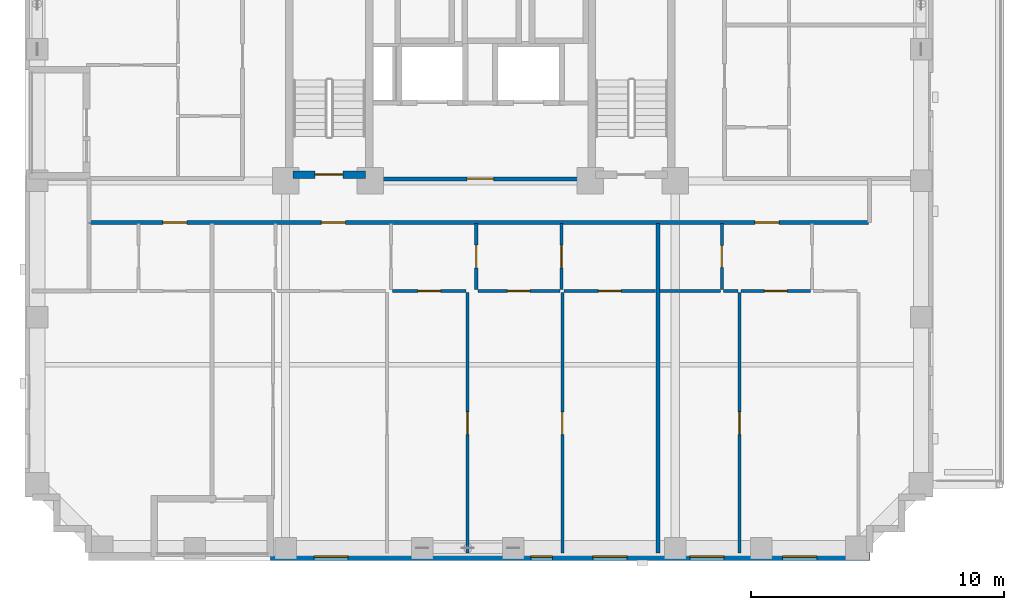
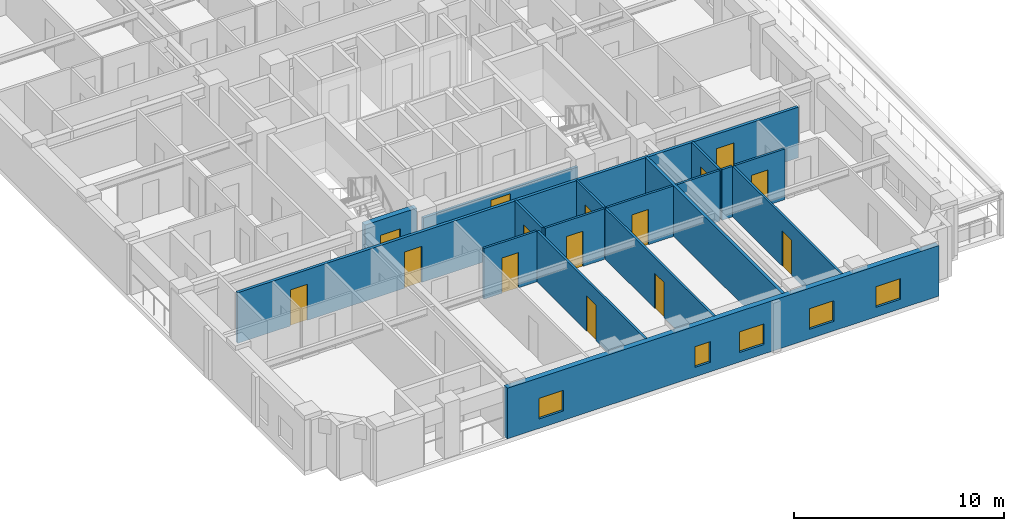
# One storey, part 7 of 16: 17 walls, 15 doors, 5 windows, 20 openings.
"""IFC4 building model written with IfcOpenShell, lengths in metres."""

from ifc_helpers import new_model, si_unit, derived_unit, direction, frame, frame_2d, origin, place, context, subcontext, project, spatial, rectangle, extrude, material, layer, layer_set, type_object, element, fill, save


model = new_model("IFC4")

# Units and contexts
model_context = context("Model", 3, precision=1e-05, world=origin(), true_north=direction((0.0, 1.0)))
body_context = subcontext(model_context, "Body", "Model", "MODEL_VIEW")
ifc_project = project(units=[si_unit("LENGTHUNIT", "METRE"), si_unit("AREAUNIT", "SQUARE_METRE"), si_unit("VOLUMEUNIT", "CUBIC_METRE"), si_unit("PLANEANGLEUNIT", "RADIAN"), si_unit("MASSUNIT", "GRAM", prefix="KILO"), derived_unit("THERMALTRANSMITTANCEUNIT", [(si_unit("MASSUNIT", "GRAM", prefix="KILO"), 1), (si_unit("TIMEUNIT", "SECOND"), -3), (si_unit("THERMODYNAMICTEMPERATUREUNIT", "KELVIN"), -1)])], contexts=[model_context])

# Site, building, storey
site_placement = place(None, origin())
site = spatial("IfcSite", under=ifc_project, at=site_placement, CompositionType="ELEMENT")
building_placement = place(site_placement, origin())
building = spatial("IfcBuilding", under=site, at=building_placement, Name="Korrvale Station Residences", CompositionType="ELEMENT")
storey_placement = place(building_placement, frame((0.0, 0.0, 75.10009765625)))
storey = spatial("IfcBuildingStorey", under=building, at=storey_placement, Name="L20", CompositionType="ELEMENT", Elevation=75.10009765625)

# Wall, opening, door
ifc_material_1 = material(Name="Concrete C60/75", Category="concrete")
ifc_layer_1 = layer(ifc_material_1, 0.300048828125, Name="Concrete C60/75")
ifc_layer_set_1 = layer_set([ifc_layer_1], Name="Concrete C60/75")
wall_type_1 = type_object("IfcWallType", Name="WAL-CORE-300-C60", PredefinedType="SHEAR", material=ifc_layer_set_1)
wall_1_placement = place(storey_placement, frame((18.10009765625, 15.25, 0.0), z_axis=(0.0, 0.0, 1.0), x_axis=(1.0, 0.0, 0.0)))
wall_1 = element("IfcWall", 1, at=wall_1_placement, inside=storey, type_object=wall_type_1, Name="L20 ST-1 Core Shear Wall South", PredefinedType="SHEAR", context=body_context, shape_type="SweptSolid", body=[
    extrude(rectangle(XDim=2.849853515625, YDim=0.300048828125, at=frame_2d((1.4248046875, 0.0))), origin(), (0.0, 0.0, 1.0), 2.93994140625),
])
opening_1_placement = place(wall_1_placement, frame((0.860107421875, 0.0, 0.0)))
opening_1 = element("IfcOpeningElement", 2, at=opening_1_placement, cuts=wall_1, Name="Opening SD-1100", PredefinedType="OPENING", context=body_context, shape_type="SweptSolid", body=[
    extrude(rectangle(XDim=1.10009765625, YDim=2.050048828125, at=frame_2d((0.550048828125, 1.02490234375))), frame((0.0, 0.16015625, 0.0), z_axis=(0.0, -1.0, 0.0), x_axis=(1.0, 0.0, 0.0)), (0.0, 0.0, 1.0), 0.320068359375),
])
ifc_material_2 = material(Name="Hollow-metal fire-rated stair door with closer", Category="steel")
door_type_1 = type_object("IfcDoorType", Name="DR-STAIR-1100", OperationType="NOTDEFINED", PredefinedType="DOOR", material=ifc_material_2)
door_1_placement = place(opening_1_placement, origin())
door_1 = element("IfcDoor", 3, at=door_1_placement, inside=storey, type_object=door_type_1, Name="L20 ST-1 Exit Stair Door", OperationType="SINGLE_SWING_LEFT", OverallHeight=2.050048828125, OverallWidth=1.10009765625, PredefinedType="DOOR", context=body_context, shape_type="SweptSolid", body=[
    extrude(rectangle(XDim=1.10009765625, YDim=2.050048828125, at=frame_2d((0.550048828125, 1.02490234375))), frame((0.0, 0.02490234375, 0.0), z_axis=(0.0, -1.0, 0.0), x_axis=(1.0, 0.0, 0.0)), (0.0, 0.0, 1.0), 0.050048828125),
])
fill(opening_1, door_1)

# Wall, openings, windows
ifc_material_3 = material(Name="Precast concrete C45/55", Category="concrete")
ifc_layer_2 = layer(ifc_material_3, 0.300048828125, Name="Precast concrete C45/55")
ifc_layer_set_2 = layer_set([ifc_layer_2], Name="Precast concrete C45/55")
wall_type_2 = type_object("IfcWallType", Name="WAL-EXT-PC300", PredefinedType="SOLIDWALL", material=ifc_layer_set_2)
wall_2_placement = place(storey_placement, frame((40.89990234375, 0.14990234375, 0.0), z_axis=(0.0, 0.0, 1.0), x_axis=(-1.0, 0.0, 0.0)))
wall_2 = element("IfcWall", 4, at=wall_2_placement, inside=storey, type_object=wall_type_2, Name="L20 South Exterior Precast Wall 1", PredefinedType="SOLIDWALL", context=body_context, shape_type="SweptSolid", body=[
    extrude(rectangle(XDim=23.699951171875, YDim=0.300048828125, at=frame_2d((11.85009765625, 0.0))), origin(), (0.0, 0.0, 1.0), 2.93994140625),
])
opening_2_placement = place(wall_2_placement, frame((20.625, 0.0, 0.550048828125)))
opening_2 = element("IfcOpeningElement", 5, at=opening_2_placement, cuts=wall_2, Name="Opening W-10", PredefinedType="OPENING", context=body_context, shape_type="SweptSolid", body=[
    extrude(rectangle(XDim=1.35009765625, YDim=1.199951171875, at=frame_2d((0.675048828125, 0.60009765625))), frame((0.0, 0.16015625, 0.0), z_axis=(0.0, -1.0, 0.0), x_axis=(1.0, 0.0, 0.0)), (0.0, 0.0, 1.0), 0.320068359375),
])
opening_3_placement = place(wall_2_placement, frame((12.550048828125, 0.0, 0.550048828125)))
opening_3 = element("IfcOpeningElement", 6, at=opening_3_placement, cuts=wall_2, Name="Opening W-11", PredefinedType="OPENING", context=body_context, shape_type="SweptSolid", body=[
    extrude(rectangle(XDim=0.85009765625, YDim=1.199951171875, at=frame_2d((0.425048828125, 0.60009765625))), frame((0.0, 0.16015625, 0.0), z_axis=(0.0, -1.0, 0.0), x_axis=(1.0, 0.0, 0.0)), (0.0, 0.0, 1.0), 0.320068359375),
])
opening_4_placement = place(wall_2_placement, frame((9.60009765625, 0.0, 0.550048828125)))
opening_4 = element("IfcOpeningElement", 7, at=opening_4_placement, cuts=wall_2, Name="Opening W-10", PredefinedType="OPENING", context=body_context, shape_type="SweptSolid", body=[
    extrude(rectangle(XDim=1.35009765625, YDim=1.199951171875, at=frame_2d((0.675048828125, 0.60009765625))), frame((0.0, 0.16015625, 0.0), z_axis=(0.0, -1.0, 0.0), x_axis=(1.0, 0.0, 0.0)), (0.0, 0.0, 1.0), 0.320068359375),
])
opening_5_placement = place(wall_2_placement, frame((5.764892578125, 0.0, 0.550048828125)))
opening_5 = element("IfcOpeningElement", 8, at=opening_5_placement, cuts=wall_2, Name="Opening W-10", PredefinedType="OPENING", context=body_context, shape_type="SweptSolid", body=[
    extrude(rectangle(XDim=1.35009765625, YDim=1.199951171875, at=frame_2d((0.675048828125, 0.60009765625))), frame((0.0, 0.16015625, 0.0), z_axis=(0.0, -1.0, 0.0), x_axis=(1.0, 0.0, 0.0)), (0.0, 0.0, 1.0), 0.320068359375),
])
opening_6_placement = place(wall_2_placement, frame((2.10009765625, 0.0, 0.550048828125)))
opening_6 = element("IfcOpeningElement", 9, at=opening_6_placement, cuts=wall_2, Name="Opening W-10", PredefinedType="OPENING", context=body_context, shape_type="SweptSolid", body=[
    extrude(rectangle(XDim=1.35009765625, YDim=1.199951171875, at=frame_2d((0.675048828125, 0.60009765625))), frame((0.0, 0.16015625, 0.0), z_axis=(0.0, -1.0, 0.0), x_axis=(1.0, 0.0, 0.0)), (0.0, 0.0, 1.0), 0.320068359375),
])
ifc_material_4 = material(Name="Thermally broken aluminium frame with triple low-e glazing", Category="aluminium")
window_type_1 = type_object("IfcWindowType", Name="WIN-W10", PartitioningType="SINGLE_PANEL", PredefinedType="WINDOW", material=ifc_material_4)
window_1_placement = place(opening_2_placement, origin())
window_1 = element("IfcWindow", 10, at=window_1_placement, inside=storey, type_object=window_type_1, Name="L20 Punched Window 03", OverallHeight=1.199951171875, OverallWidth=1.35009765625, PartitioningType="SINGLE_PANEL", PredefinedType="WINDOW", context=body_context, shape_type="SweptSolid", body=[
    extrude(rectangle(XDim=1.35009765625, YDim=1.199951171875, at=frame_2d((0.675048828125, 0.60009765625))), frame((0.0, 0.030029296875, 0.0), z_axis=(0.0, -1.0, 0.0), x_axis=(1.0, 0.0, 0.0)), (0.0, 0.0, 1.0), 0.06005859375),
])
fill(opening_2, window_1)
window_2_placement = place(opening_4_placement, origin())
window_2 = element("IfcWindow", 11, at=window_2_placement, inside=storey, type_object=window_type_1, Name="L20 Punched Window 05", OverallHeight=1.199951171875, OverallWidth=1.35009765625, PartitioningType="SINGLE_PANEL", PredefinedType="WINDOW", context=body_context, shape_type="SweptSolid", body=[
    extrude(rectangle(XDim=1.35009765625, YDim=1.199951171875, at=frame_2d((0.675048828125, 0.60009765625))), frame((0.0, 0.030029296875, 0.0), z_axis=(0.0, -1.0, 0.0), x_axis=(1.0, 0.0, 0.0)), (0.0, 0.0, 1.0), 0.06005859375),
])
fill(opening_4, window_2)
window_3_placement = place(opening_5_placement, origin())
window_3 = element("IfcWindow", 12, at=window_3_placement, inside=storey, type_object=window_type_1, Name="L20 Punched Window 06", OverallHeight=1.199951171875, OverallWidth=1.35009765625, PartitioningType="SINGLE_PANEL", PredefinedType="WINDOW", context=body_context, shape_type="SweptSolid", body=[
    extrude(rectangle(XDim=1.35009765625, YDim=1.199951171875, at=frame_2d((0.675048828125, 0.60009765625))), frame((0.0, 0.030029296875, 0.0), z_axis=(0.0, -1.0, 0.0), x_axis=(1.0, 0.0, 0.0)), (0.0, 0.0, 1.0), 0.06005859375),
])
fill(opening_5, window_3)
window_4_placement = place(opening_6_placement, origin())
window_4 = element("IfcWindow", 13, at=window_4_placement, inside=storey, type_object=window_type_1, Name="L20 Punched Window 07", OverallHeight=1.199951171875, OverallWidth=1.35009765625, PartitioningType="SINGLE_PANEL", PredefinedType="WINDOW", context=body_context, shape_type="SweptSolid", body=[
    extrude(rectangle(XDim=1.35009765625, YDim=1.199951171875, at=frame_2d((0.675048828125, 0.60009765625))), frame((0.0, 0.030029296875, 0.0), z_axis=(0.0, -1.0, 0.0), x_axis=(1.0, 0.0, 0.0)), (0.0, 0.0, 1.0), 0.06005859375),
])
fill(opening_6, window_4)
window_type_2 = type_object("IfcWindowType", Name="WIN-W11", PartitioningType="SINGLE_PANEL", PredefinedType="WINDOW", material=ifc_material_4)
window_5_placement = place(opening_3_placement, origin())
window_5 = element("IfcWindow", 14, at=window_5_placement, inside=storey, type_object=window_type_2, Name="L20 Punched Window 04", OverallHeight=1.199951171875, OverallWidth=0.85009765625, PartitioningType="SINGLE_PANEL", PredefinedType="WINDOW", context=body_context, shape_type="SweptSolid", body=[
    extrude(rectangle(XDim=0.85009765625, YDim=1.199951171875, at=frame_2d((0.425048828125, 0.60009765625))), frame((0.0, 0.030029296875, 0.0), z_axis=(0.0, -1.0, 0.0), x_axis=(1.0, 0.0, 0.0)), (0.0, 0.0, 1.0), 0.06005859375),
])
fill(opening_3, window_5)

# Wall, opening, door
ifc_material_5 = material(Name="Acoustic steel-stud gypsum board partition", Category="steel")
ifc_layer_3 = layer(ifc_material_5, 0.1201171875, Name="Acoustic steel-stud gypsum board partition")
ifc_layer_set_3 = layer_set([ifc_layer_3], Name="Acoustic steel-stud gypsum board partition")
wall_type_3 = type_object("IfcWallType", Name="WAL-PART-125", PredefinedType="PARTITIONING", material=ifc_layer_set_3)
wall_3_placement = place(storey_placement, frame((25.3359375, 10.7099609375, 0.0), z_axis=(0.0, 0.0, 1.0), x_axis=(0.0, 1.0, 0.0)))
wall_3 = element("IfcWall", 15, at=wall_3_placement, inside=storey, type_object=wall_type_3, Name="L20 Suite Partition U02-V23", PredefinedType="PARTITIONING", context=body_context, shape_type="SweptSolid", body=[
    extrude(rectangle(XDim=2.60009765625, YDim=0.1201171875, at=frame_2d((1.300048828125, 0.0))), origin(), (0.0, 0.0, 1.0), 2.93994140625),
])
opening_7_placement = place(wall_3_placement, frame((0.85009765625, 0.0, 0.0)))
opening_7 = element("IfcOpeningElement", 16, at=opening_7_placement, cuts=wall_3, Name="Opening DI-900", PredefinedType="OPENING", context=body_context, shape_type="SweptSolid", body=[
    extrude(rectangle(XDim=0.89990234375, YDim=2.050048828125, at=frame_2d((0.449951171875, 1.02490234375))), frame((0.0, 0.070068359375, 0.0), z_axis=(0.0, -1.0, 0.0), x_axis=(1.0, 0.0, 0.0)), (0.0, 0.0, 1.0), 0.14013671875),
])
ifc_material_6 = material(Name="Painted solid-core timber interior room door", Category="wood")
door_type_2 = type_object("IfcDoorType", Name="DR-INT-900", OperationType="NOTDEFINED", PredefinedType="DOOR", material=ifc_material_6)
door_2_placement = place(opening_7_placement, origin())
door_2 = element("IfcDoor", 17, at=door_2_placement, inside=storey, type_object=door_type_2, Name="L20 Apartment 2BR L20-U02 Home Study Room Door", OperationType="SINGLE_SWING_LEFT", OverallHeight=2.050048828125, OverallWidth=0.89990234375, PredefinedType="DOOR", context=body_context, shape_type="SweptSolid", body=[
    extrude(rectangle(XDim=0.89990234375, YDim=2.050048828125, at=frame_2d((0.449951171875, 1.02490234375))), frame((0.0, 0.02490234375, 0.0), z_axis=(0.0, -1.0, 0.0), x_axis=(1.0, 0.0, 0.0)), (0.0, 0.0, 1.0), 0.050048828125),
])
fill(opening_7, door_2)

wall_4_placement = place(storey_placement, frame((22.02587890625, 10.64990234375, 0.0), z_axis=(0.0, 0.0, 1.0), x_axis=(1.0, 0.0, 0.0)))
wall_4 = element("IfcWall", 18, at=wall_4_placement, inside=storey, type_object=wall_type_3, Name="L20 Suite Partition U02-H27", PredefinedType="PARTITIONING", context=body_context, shape_type="SweptSolid", body=[
    extrude(rectangle(XDim=2.905029296875, YDim=0.1201171875, at=frame_2d((1.45263671875, 0.0))), origin(), (0.0, 0.0, 1.0), 2.93994140625),
])
opening_8_placement = place(wall_4_placement, frame((1.0029296875, 0.0, 0.0)))
opening_8 = element("IfcOpeningElement", 19, at=opening_8_placement, cuts=wall_4, Name="Opening DI-900", PredefinedType="OPENING", context=body_context, shape_type="SweptSolid", body=[
    extrude(rectangle(XDim=0.89990234375, YDim=2.050048828125, at=frame_2d((0.449951171875, 1.02490234375))), frame((0.0, 0.070068359375, 0.0), z_axis=(0.0, -1.0, 0.0), x_axis=(1.0, 0.0, 0.0)), (0.0, 0.0, 1.0), 0.14013671875),
])
door_3_placement = place(opening_8_placement, origin())
door_3 = element("IfcDoor", 20, at=door_3_placement, inside=storey, type_object=door_type_2, Name="L20 Apartment 2BR L20-U02 Home Study Room Door", OperationType="SINGLE_SWING_RIGHT", OverallHeight=2.050048828125, OverallWidth=0.89990234375, PredefinedType="DOOR", context=body_context, shape_type="SweptSolid", body=[
    extrude(rectangle(XDim=0.89990234375, YDim=2.050048828125, at=frame_2d((0.449951171875, 1.02490234375))), frame((0.0, 0.02490234375, 0.0), z_axis=(0.0, -1.0, 0.0), x_axis=(1.0, 0.0, 0.0)), (0.0, 0.0, 1.0), 0.050048828125),
])
fill(opening_8, door_3)

wall_5_placement = place(storey_placement, frame((28.7060546875, 10.7099609375, 0.0), z_axis=(0.0, 0.0, 1.0), x_axis=(0.0, 1.0, 0.0)))
wall_5 = element("IfcWall", 21, at=wall_5_placement, inside=storey, type_object=wall_type_3, Name="L20 Suite Partition U02-V34", PredefinedType="PARTITIONING", context=body_context, shape_type="SweptSolid", body=[
    extrude(rectangle(XDim=2.60009765625, YDim=0.1201171875, at=frame_2d((1.300048828125, 0.0))), origin(), (0.0, 0.0, 1.0), 2.93994140625),
])
opening_9_placement = place(wall_5_placement, frame((0.85009765625, 0.0, 0.0)))
opening_9 = element("IfcOpeningElement", 22, at=opening_9_placement, cuts=wall_5, Name="Opening DI-900", PredefinedType="OPENING", context=body_context, shape_type="SweptSolid", body=[
    extrude(rectangle(XDim=0.89990234375, YDim=2.050048828125, at=frame_2d((0.449951171875, 1.02490234375))), frame((0.0, 0.070068359375, 0.0), z_axis=(0.0, -1.0, 0.0), x_axis=(1.0, 0.0, 0.0)), (0.0, 0.0, 1.0), 0.14013671875),
])
door_4_placement = place(opening_9_placement, origin())
door_4 = element("IfcDoor", 23, at=door_4_placement, inside=storey, type_object=door_type_2, Name="L20 Apartment 2BR L20-U02 Home Study Room Door", OperationType="SINGLE_SWING_LEFT", OverallHeight=2.050048828125, OverallWidth=0.89990234375, PredefinedType="DOOR", context=body_context, shape_type="SweptSolid", body=[
    extrude(rectangle(XDim=0.89990234375, YDim=2.050048828125, at=frame_2d((0.449951171875, 1.02490234375))), frame((0.0, 0.02490234375, 0.0), z_axis=(0.0, -1.0, 0.0), x_axis=(1.0, 0.0, 0.0)), (0.0, 0.0, 1.0), 0.050048828125),
])
fill(opening_9, door_4)

wall_6_placement = place(storey_placement, frame((25.39599609375, 10.64990234375, 0.0), z_axis=(0.0, 0.0, 1.0), x_axis=(1.0, 0.0, 0.0)))
wall_6 = element("IfcWall", 24, at=wall_6_placement, inside=storey, type_object=wall_type_3, Name="L20 Suite Partition U02-H38", PredefinedType="PARTITIONING", context=body_context, shape_type="SweptSolid", body=[
    extrude(rectangle(XDim=3.25, YDim=0.1201171875, at=frame_2d((1.625, 0.0))), origin(), (0.0, 0.0, 1.0), 2.93994140625),
])
opening_10_placement = place(wall_6_placement, frame((1.175048828125, 0.0, 0.0)))
opening_10 = element("IfcOpeningElement", 25, at=opening_10_placement, cuts=wall_6, Name="Opening DI-900", PredefinedType="OPENING", context=body_context, shape_type="SweptSolid", body=[
    extrude(rectangle(XDim=0.89990234375, YDim=2.050048828125, at=frame_2d((0.449951171875, 1.02490234375))), frame((0.0, 0.070068359375, 0.0), z_axis=(0.0, -1.0, 0.0), x_axis=(1.0, 0.0, 0.0)), (0.0, 0.0, 1.0), 0.14013671875),
])
door_5_placement = place(opening_10_placement, origin())
door_5 = element("IfcDoor", 26, at=door_5_placement, inside=storey, type_object=door_type_2, Name="L20 Apartment 2BR L20-U02 Home Study Room Door", OperationType="SINGLE_SWING_RIGHT", OverallHeight=2.050048828125, OverallWidth=0.89990234375, PredefinedType="DOOR", context=body_context, shape_type="SweptSolid", body=[
    extrude(rectangle(XDim=0.89990234375, YDim=2.050048828125, at=frame_2d((0.449951171875, 1.02490234375))), frame((0.0, 0.02490234375, 0.0), z_axis=(0.0, -1.0, 0.0), x_axis=(1.0, 0.0, 0.0)), (0.0, 0.0, 1.0), 0.050048828125),
])
fill(opening_10, door_5)

wall_7_placement = place(storey_placement, frame((28.798095703125, 10.64990234375, 0.0), z_axis=(0.0, 0.0, 1.0), x_axis=(1.0, 0.0, 0.0)))
wall_7 = element("IfcWall", 27, at=wall_7_placement, inside=storey, type_object=wall_type_3, Name="L20 Suite Partition U02-H49", PredefinedType="PARTITIONING", context=body_context, shape_type="SweptSolid", body=[
    extrude(rectangle(XDim=3.6279296875, YDim=0.1201171875, at=frame_2d((1.81396484375, 0.0))), origin(), (0.0, 0.0, 1.0), 2.93994140625),
])
opening_11_placement = place(wall_7_placement, frame((1.364013671875, 0.0, 0.0)))
opening_11 = element("IfcOpeningElement", 28, at=opening_11_placement, cuts=wall_7, Name="Opening DI-900", PredefinedType="OPENING", context=body_context, shape_type="SweptSolid", body=[
    extrude(rectangle(XDim=0.89990234375, YDim=2.050048828125, at=frame_2d((0.449951171875, 1.02490234375))), frame((0.0, 0.070068359375, 0.0), z_axis=(0.0, -1.0, 0.0), x_axis=(1.0, 0.0, 0.0)), (0.0, 0.0, 1.0), 0.14013671875),
])
door_6_placement = place(opening_11_placement, origin())
door_6 = element("IfcDoor", 29, at=door_6_placement, inside=storey, type_object=door_type_2, Name="L20 Apartment 2BR L20-U02 Utility and Laundry Room Door", OperationType="SINGLE_SWING_LEFT", OverallHeight=2.050048828125, OverallWidth=0.89990234375, PredefinedType="DOOR", context=body_context, shape_type="SweptSolid", body=[
    extrude(rectangle(XDim=0.89990234375, YDim=2.050048828125, at=frame_2d((0.449951171875, 1.02490234375))), frame((0.0, 0.02490234375, 0.0), z_axis=(0.0, -1.0, 0.0), x_axis=(1.0, 0.0, 0.0)), (0.0, 0.0, 1.0), 0.050048828125),
])
fill(opening_11, door_6)

wall_8_placement = place(storey_placement, frame((24.990966796875, 0.280029296875, 0.0), z_axis=(0.0, 0.0, 1.0), x_axis=(0.0, 1.0, 0.0)))
wall_8 = element("IfcWall", 30, at=wall_8_placement, inside=storey, type_object=wall_type_3, Name="L20 Suite Partition U02-V78", PredefinedType="PARTITIONING", context=body_context, shape_type="SweptSolid", body=[
    extrude(rectangle(XDim=10.31005859375, YDim=0.1201171875, at=frame_2d((5.155029296875, 0.0))), origin(), (0.0, 0.0, 1.0), 2.93994140625),
])
opening_12_placement = place(wall_8_placement, frame((4.68994140625, 0.0, 0.0)))
opening_12 = element("IfcOpeningElement", 31, at=opening_12_placement, cuts=wall_8, Name="Opening DI-900", PredefinedType="OPENING", context=body_context, shape_type="SweptSolid", body=[
    extrude(rectangle(XDim=0.89990234375, YDim=2.050048828125, at=frame_2d((0.449951171875, 1.02490234375))), frame((0.0, 0.070068359375, 0.0), z_axis=(0.0, -1.0, 0.0), x_axis=(1.0, 0.0, 0.0)), (0.0, 0.0, 1.0), 0.14013671875),
])
door_7_placement = place(opening_12_placement, origin())
door_7 = element("IfcDoor", 32, at=door_7_placement, inside=storey, type_object=door_type_2, Name="L20 Apartment 2BR L20-U02 Wardrobe Storage Room Door", OperationType="SINGLE_SWING_RIGHT", OverallHeight=2.050048828125, OverallWidth=0.89990234375, PredefinedType="DOOR", context=body_context, shape_type="SweptSolid", body=[
    extrude(rectangle(XDim=0.89990234375, YDim=2.050048828125, at=frame_2d((0.449951171875, 1.02490234375))), frame((0.0, 0.02490234375, 0.0), z_axis=(0.0, -1.0, 0.0), x_axis=(1.0, 0.0, 0.0)), (0.0, 0.0, 1.0), 0.050048828125),
])
fill(opening_12, door_7)

wall_9_placement = place(storey_placement, frame((28.738037109375, 0.280029296875, 0.0), z_axis=(0.0, 0.0, 1.0), x_axis=(0.0, 1.0, 0.0)))
wall_9 = element("IfcWall", 33, at=wall_9_placement, inside=storey, type_object=wall_type_3, Name="L20 Suite Partition U02-V89", PredefinedType="PARTITIONING", context=body_context, shape_type="SweptSolid", body=[
    extrude(rectangle(XDim=10.31005859375, YDim=0.1201171875, at=frame_2d((5.155029296875, 0.0))), origin(), (0.0, 0.0, 1.0), 2.93994140625),
])
opening_13_placement = place(wall_9_placement, frame((4.68994140625, 0.0, 0.0)))
opening_13 = element("IfcOpeningElement", 34, at=opening_13_placement, cuts=wall_9, Name="Opening DI-900", PredefinedType="OPENING", context=body_context, shape_type="SweptSolid", body=[
    extrude(rectangle(XDim=0.89990234375, YDim=2.050048828125, at=frame_2d((0.449951171875, 1.02490234375))), frame((0.0, 0.070068359375, 0.0), z_axis=(0.0, -1.0, 0.0), x_axis=(1.0, 0.0, 0.0)), (0.0, 0.0, 1.0), 0.14013671875),
])
door_8_placement = place(opening_13_placement, origin())
door_8 = element("IfcDoor", 35, at=door_8_placement, inside=storey, type_object=door_type_2, Name="L20 Apartment 2BR L20-U02 Bedroom 1 Door", OperationType="SINGLE_SWING_LEFT", OverallHeight=2.050048828125, OverallWidth=0.89990234375, PredefinedType="DOOR", context=body_context, shape_type="SweptSolid", body=[
    extrude(rectangle(XDim=0.89990234375, YDim=2.050048828125, at=frame_2d((0.449951171875, 1.02490234375))), frame((0.0, 0.02490234375, 0.0), z_axis=(0.0, -1.0, 0.0), x_axis=(1.0, 0.0, 0.0)), (0.0, 0.0, 1.0), 0.050048828125),
])
fill(opening_13, door_8)

wall_10_placement = place(storey_placement, frame((35.0458984375, 10.7099609375, 0.0), z_axis=(0.0, 0.0, 1.0), x_axis=(0.0, 1.0, 0.0)))
wall_10 = element("IfcWall", 36, at=wall_10_placement, inside=storey, type_object=wall_type_3, Name="L20 Suite Partition U03-V01", PredefinedType="PARTITIONING", context=body_context, shape_type="SweptSolid", body=[
    extrude(rectangle(XDim=2.60009765625, YDim=0.1201171875, at=frame_2d((1.300048828125, 0.0))), origin(), (0.0, 0.0, 1.0), 2.93994140625),
])
opening_14_placement = place(wall_10_placement, frame((0.8701171875, 0.0, 0.0)))
opening_14 = element("IfcOpeningElement", 37, at=opening_14_placement, cuts=wall_10, Name="Opening DB-860", PredefinedType="OPENING", context=body_context, shape_type="SweptSolid", body=[
    extrude(rectangle(XDim=0.860107421875, YDim=2.050048828125, at=frame_2d((0.43017578125, 1.02490234375))), frame((0.0, 0.070068359375, 0.0), z_axis=(0.0, -1.0, 0.0), x_axis=(1.0, 0.0, 0.0)), (0.0, 0.0, 1.0), 0.14013671875),
])
ifc_material_7 = material(Name="Moisture-resistant solid-core bathroom door", Category="timber")
door_type_3 = type_object("IfcDoorType", Name="DR-BATH-860", OperationType="NOTDEFINED", PredefinedType="DOOR", material=ifc_material_7)
door_9_placement = place(opening_14_placement, origin())
door_9 = element("IfcDoor", 38, at=door_9_placement, inside=storey, type_object=door_type_3, Name="L20 Studio Apartment L20-U03 Bathroom Door", OperationType="SINGLE_SWING_RIGHT", OverallHeight=2.050048828125, OverallWidth=0.860107421875, PredefinedType="DOOR", context=body_context, shape_type="SweptSolid", body=[
    extrude(rectangle(XDim=0.860107421875, YDim=2.050048828125, at=frame_2d((0.43017578125, 1.02490234375))), frame((0.0, 0.02490234375, 0.0), z_axis=(0.0, -1.0, 0.0), x_axis=(1.0, 0.0, 0.0)), (0.0, 0.0, 1.0), 0.050048828125),
])
fill(opening_14, door_9)

# Walls
wall_11_placement = place(storey_placement, frame((32.5859375, 10.64990234375, 0.0), z_axis=(0.0, 0.0, 1.0), x_axis=(1.0, 0.0, 0.0)))
element("IfcWall", 39, at=wall_11_placement, inside=storey, type_object=wall_type_3, Name="L20 Suite Partition U03-H03", PredefinedType="PARTITIONING", context=body_context, shape_type="SweptSolid", body=[
    extrude(rectangle(XDim=2.400146484375, YDim=0.1201171875, at=frame_2d((1.2001953125, 0.0))), origin(), (0.0, 0.0, 1.0), 2.93994140625),
])
wall_12_placement = place(storey_placement, frame((35.10595703125, 10.64990234375, 0.0), z_axis=(0.0, 0.0, 1.0), x_axis=(1.0, 0.0, 0.0)))
element("IfcWall", 40, at=wall_12_placement, inside=storey, type_object=wall_type_3, Name="L20 Suite Partition U03-H13", PredefinedType="PARTITIONING", context=body_context, shape_type="SweptSolid", body=[
    extrude(rectangle(XDim=0.580078125, YDim=0.1201171875, at=frame_2d((0.2900390625, 0.0))), origin(), (0.0, 0.0, 1.0), 2.93994140625),
])

# Wall, opening, door
wall_13_placement = place(storey_placement, frame((35.805908203125, 10.64990234375, 0.0), z_axis=(0.0, 0.0, 1.0), x_axis=(1.0, 0.0, 0.0)))
wall_13 = element("IfcWall", 41, at=wall_13_placement, inside=storey, type_object=wall_type_3, Name="L20 Suite Partition U03-H14", PredefinedType="PARTITIONING", context=body_context, shape_type="SweptSolid", body=[
    extrude(rectangle(XDim=2.75, YDim=0.1201171875, at=frame_2d((1.375, 0.0))), origin(), (0.0, 0.0, 1.0), 2.93994140625),
])
opening_15_placement = place(wall_13_placement, frame((0.925048828125, 0.0, 0.0)))
opening_15 = element("IfcOpeningElement", 42, at=opening_15_placement, cuts=wall_13, Name="Opening DI-900", PredefinedType="OPENING", context=body_context, shape_type="SweptSolid", body=[
    extrude(rectangle(XDim=0.89990234375, YDim=2.050048828125, at=frame_2d((0.449951171875, 1.02490234375))), frame((0.0, 0.070068359375, 0.0), z_axis=(0.0, -1.0, 0.0), x_axis=(1.0, 0.0, 0.0)), (0.0, 0.0, 1.0), 0.14013671875),
])
door_10_placement = place(opening_15_placement, origin())
door_10 = element("IfcDoor", 43, at=door_10_placement, inside=storey, type_object=door_type_2, Name="L20 Studio Apartment L20-U03 Kitchen Door", OperationType="SINGLE_SWING_RIGHT", OverallHeight=2.050048828125, OverallWidth=0.89990234375, PredefinedType="DOOR", context=body_context, shape_type="SweptSolid", body=[
    extrude(rectangle(XDim=0.89990234375, YDim=2.050048828125, at=frame_2d((0.449951171875, 1.02490234375))), frame((0.0, 0.02490234375, 0.0), z_axis=(0.0, -1.0, 0.0), x_axis=(1.0, 0.0, 0.0)), (0.0, 0.0, 1.0), 0.050048828125),
])
fill(opening_15, door_10)

wall_14_placement = place(storey_placement, frame((35.74609375, 0.280029296875, 0.0), z_axis=(0.0, 0.0, 1.0), x_axis=(0.0, 1.0, 0.0)))
wall_14 = element("IfcWall", 44, at=wall_14_placement, inside=storey, type_object=wall_type_3, Name="L20 Suite Partition U03-V34", PredefinedType="PARTITIONING", context=body_context, shape_type="SweptSolid", body=[
    extrude(rectangle(XDim=10.31005859375, YDim=0.1201171875, at=frame_2d((5.155029296875, 0.0))), origin(), (0.0, 0.0, 1.0), 2.93994140625),
])
opening_16_placement = place(wall_14_placement, frame((4.68994140625, 0.0, 0.0)))
opening_16 = element("IfcOpeningElement", 45, at=opening_16_placement, cuts=wall_14, Name="Opening DI-900", PredefinedType="OPENING", context=body_context, shape_type="SweptSolid", body=[
    extrude(rectangle(XDim=0.89990234375, YDim=2.050048828125, at=frame_2d((0.449951171875, 1.02490234375))), frame((0.0, 0.070068359375, 0.0), z_axis=(0.0, -1.0, 0.0), x_axis=(1.0, 0.0, 0.0)), (0.0, 0.0, 1.0), 0.14013671875),
])
door_11_placement = place(opening_16_placement, origin())
door_11 = element("IfcDoor", 46, at=door_11_placement, inside=storey, type_object=door_type_2, Name="L20 Studio Apartment L20-U03 Formal Dining Room Door", OperationType="SINGLE_SWING_RIGHT", OverallHeight=2.050048828125, OverallWidth=0.89990234375, PredefinedType="DOOR", context=body_context, shape_type="SweptSolid", body=[
    extrude(rectangle(XDim=0.89990234375, YDim=2.050048828125, at=frame_2d((0.449951171875, 1.02490234375))), frame((0.0, 0.02490234375, 0.0), z_axis=(0.0, -1.0, 0.0), x_axis=(1.0, 0.0, 0.0)), (0.0, 0.0, 1.0), 0.050048828125),
])
fill(opening_16, door_11)

ifc_material_8 = material(Name="Fire-rated twin-stud gypsum and mineral wool shaftwall assembly", Category="gypsum")
ifc_layer_4 = layer(ifc_material_8, 0.159912109375, Name="Fire-rated twin-stud gypsum and mineral wool shaftwall assembly")
ifc_layer_set_4 = layer_set([ifc_layer_4], Name="Fire-rated twin-stud gypsum and mineral wool shaftwall assembly")
wall_type_4 = type_object("IfcWallType", Name="WAL-PART-200", PredefinedType="PARTITIONING", material=ifc_layer_set_4)
wall_15_placement = place(storey_placement, frame((21.25, 15.080078125, 0.0), z_axis=(0.0, 0.0, 1.0), x_axis=(1.0, 0.0, 0.0)))
wall_15 = element("IfcWall", 47, at=wall_15_placement, inside=storey, type_object=wall_type_4, Name="L20 Core Partition CW-FFL-S", PredefinedType="PARTITIONING", context=body_context, shape_type="SweptSolid", body=[
    extrude(rectangle(XDim=8.5, YDim=0.159912109375, at=frame_2d((4.25, 0.0))), origin(), (0.0, 0.0, 1.0), 2.308837890625),
])
opening_17_placement = place(wall_15_placement, frame((3.72509765625, 0.0, 0.0)))
opening_17 = element("IfcOpeningElement", 48, at=opening_17_placement, cuts=wall_15, Name="Opening FD-1050", PredefinedType="OPENING", context=body_context, shape_type="SweptSolid", body=[
    extrude(rectangle(XDim=1.050048828125, YDim=2.050048828125, at=frame_2d((0.52490234375, 1.02490234375))), frame((0.0, 0.08984375, 0.0), z_axis=(0.0, -1.0, 0.0), x_axis=(1.0, 0.0, 0.0)), (0.0, 0.0, 1.0), 0.179931640625),
])
ifc_material_9 = material(Name="Fire-rated mineral-core timber lobby door", Category="wood")
door_type_4 = type_object("IfcDoorType", Name="DR-CORE-1050", OperationType="NOTDEFINED", PredefinedType="DOOR", material=ifc_material_9)
door_12_placement = place(opening_17_placement, origin())
door_12 = element("IfcDoor", 49, at=door_12_placement, inside=storey, type_object=door_type_4, Name="L20 Firefighting Lobby Entry Door", OperationType="SINGLE_SWING_LEFT", OverallHeight=2.050048828125, OverallWidth=1.050048828125, PredefinedType="DOOR", context=body_context, shape_type="SweptSolid", body=[
    extrude(rectangle(XDim=1.050048828125, YDim=2.050048828125, at=frame_2d((0.52490234375, 1.02490234375))), frame((0.0, 0.02490234375, 0.0), z_axis=(0.0, -1.0, 0.0), x_axis=(1.0, 0.0, 0.0)), (0.0, 0.0, 1.0), 0.050048828125),
])
fill(opening_17, door_12)

# Wall
wall_16_placement = place(storey_placement, frame((32.52587890625, 0.280029296875, 0.0), z_axis=(0.0, 0.0, 1.0), x_axis=(0.0, 1.0, 0.0)))
element("IfcWall", 50, at=wall_16_placement, inside=storey, type_object=wall_type_4, Name="L20 Demising Wall U03-W", PredefinedType="PARTITIONING", context=body_context, shape_type="SweptSolid", body=[
    extrude(rectangle(XDim=13.030029296875, YDim=0.159912109375, at=frame_2d((6.51513671875, 0.0))), origin(), (0.0, 0.0, 1.0), 2.93994140625),
])

# Wall, openings, doors
wall_17_placement = place(storey_placement, frame((10.050048828125, 13.35009765625, 0.0), z_axis=(0.0, 0.0, 1.0), x_axis=(1.0, 0.0, 0.0)))
wall_17 = element("IfcWall", 51, at=wall_17_placement, inside=storey, type_object=wall_type_4, Name="L20 Rated Corridor Wall S", PredefinedType="PARTITIONING", context=body_context, shape_type="SweptSolid", body=[
    extrude(rectangle(XDim=30.800048828125, YDim=0.159912109375, at=frame_2d((15.39990234375, 0.0))), origin(), (0.0, 0.0, 1.0), 2.93994140625),
])
opening_18_placement = place(wall_17_placement, frame((2.89306640625, 0.0, 0.0)))
opening_18 = element("IfcOpeningElement", 52, at=opening_18_placement, cuts=wall_17, Name="Opening UD-950", PredefinedType="OPENING", context=body_context, shape_type="SweptSolid", body=[
    extrude(rectangle(XDim=0.949951171875, YDim=2.10009765625, at=frame_2d((0.47509765625, 1.050048828125))), frame((0.0, 0.08984375, 0.0), z_axis=(0.0, -1.0, 0.0), x_axis=(1.0, 0.0, 0.0)), (0.0, 0.0, 1.0), 0.179931640625),
])
opening_19_placement = place(wall_17_placement, frame((9.160888671875, 0.0, 0.0)))
opening_19 = element("IfcOpeningElement", 53, at=opening_19_placement, cuts=wall_17, Name="Opening UD-950", PredefinedType="OPENING", context=body_context, shape_type="SweptSolid", body=[
    extrude(rectangle(XDim=0.949951171875, YDim=2.10009765625, at=frame_2d((0.47509765625, 1.050048828125))), frame((0.0, 0.08984375, 0.0), z_axis=(0.0, -1.0, 0.0), x_axis=(1.0, 0.0, 0.0)), (0.0, 0.0, 1.0), 0.179931640625),
])
opening_20_placement = place(wall_17_placement, frame((26.305908203125, 0.0, 0.0)))
opening_20 = element("IfcOpeningElement", 54, at=opening_20_placement, cuts=wall_17, Name="Opening UD-950", PredefinedType="OPENING", context=body_context, shape_type="SweptSolid", body=[
    extrude(rectangle(XDim=0.949951171875, YDim=2.10009765625, at=frame_2d((0.47509765625, 1.050048828125))), frame((0.0, 0.08984375, 0.0), z_axis=(0.0, -1.0, 0.0), x_axis=(1.0, 0.0, 0.0)), (0.0, 0.0, 1.0), 0.179931640625),
])
ifc_material_10 = material(Name="Solid-core acoustic oak apartment entrance door", Category="timber")
door_type_5 = type_object("IfcDoorType", Name="DR-UNIT-950", OperationType="NOTDEFINED", PredefinedType="DOOR", material=ifc_material_10)
door_13_placement = place(opening_18_placement, origin())
door_13 = element("IfcDoor", 55, at=door_13_placement, inside=storey, type_object=door_type_5, Name="L20 Apartment L20-U01 Entrance Door", OperationType="SINGLE_SWING_RIGHT", OverallHeight=2.10009765625, OverallWidth=0.949951171875, PredefinedType="DOOR", context=body_context, shape_type="SweptSolid", body=[
    extrude(rectangle(XDim=0.949951171875, YDim=2.10009765625, at=frame_2d((0.47509765625, 1.050048828125))), frame((0.0, 0.02490234375, 0.0), z_axis=(0.0, -1.0, 0.0), x_axis=(1.0, 0.0, 0.0)), (0.0, 0.0, 1.0), 0.050048828125),
])
fill(opening_18, door_13)
door_14_placement = place(opening_19_placement, origin())
door_14 = element("IfcDoor", 56, at=door_14_placement, inside=storey, type_object=door_type_5, Name="L20 Apartment L20-U02 Entrance Door", OperationType="SINGLE_SWING_LEFT", OverallHeight=2.10009765625, OverallWidth=0.949951171875, PredefinedType="DOOR", context=body_context, shape_type="SweptSolid", body=[
    extrude(rectangle(XDim=0.949951171875, YDim=2.10009765625, at=frame_2d((0.47509765625, 1.050048828125))), frame((0.0, 0.02490234375, 0.0), z_axis=(0.0, -1.0, 0.0), x_axis=(1.0, 0.0, 0.0)), (0.0, 0.0, 1.0), 0.050048828125),
])
fill(opening_19, door_14)
door_15_placement = place(opening_20_placement, origin())
door_15 = element("IfcDoor", 57, at=door_15_placement, inside=storey, type_object=door_type_5, Name="L20 Apartment L20-U03 Entrance Door", OperationType="SINGLE_SWING_RIGHT", OverallHeight=2.10009765625, OverallWidth=0.949951171875, PredefinedType="DOOR", context=body_context, shape_type="SweptSolid", body=[
    extrude(rectangle(XDim=0.949951171875, YDim=2.10009765625, at=frame_2d((0.47509765625, 1.050048828125))), frame((0.0, 0.02490234375, 0.0), z_axis=(0.0, -1.0, 0.0), x_axis=(1.0, 0.0, 0.0)), (0.0, 0.0, 1.0), 0.050048828125),
])
fill(opening_20, door_15)

save(model, "model.ifc")
